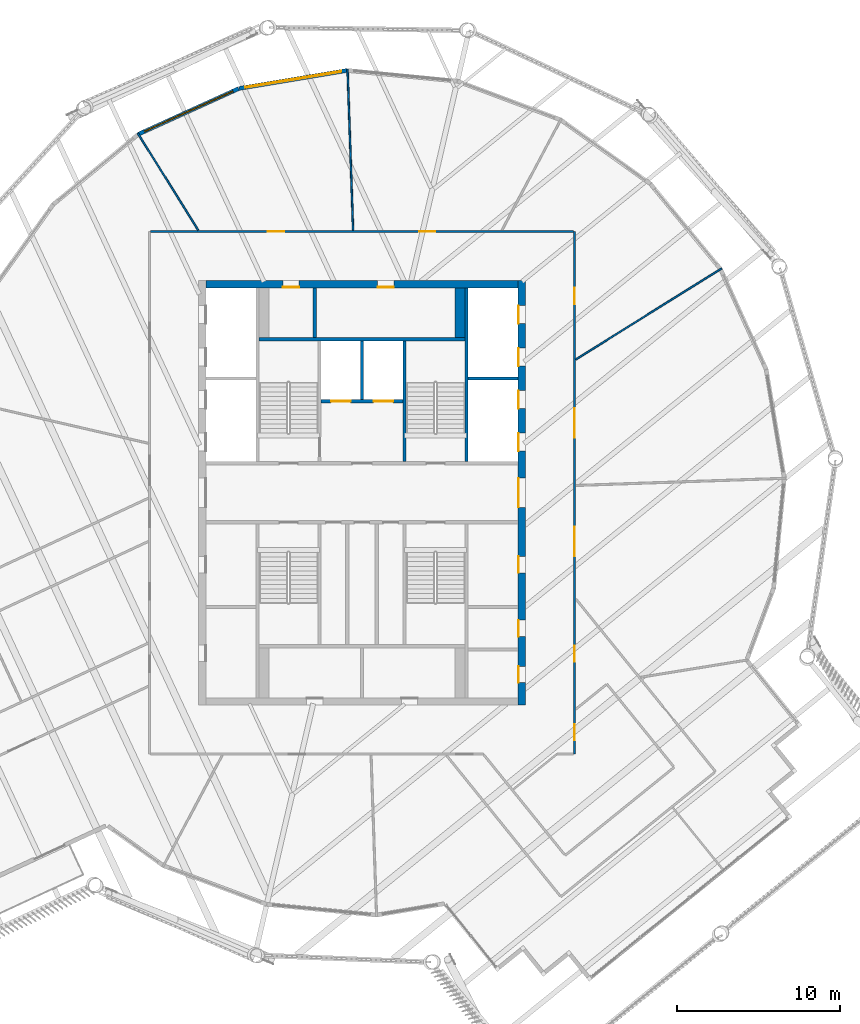
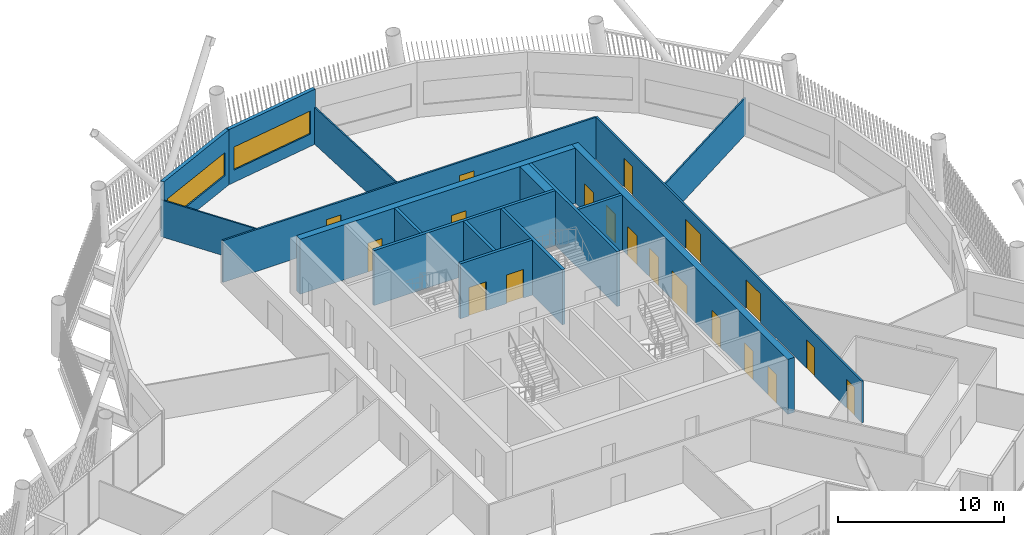
# One storey, part 20 of 36: 19 doors, 17 walls, 2 windows, 21 openings.
"""IFC4 building model written with IfcOpenShell, lengths in metres."""

from ifc_helpers import new_model, si_unit, direction, frame, frame_2d, origin, place, context, subcontext, project, spatial, rectangle, extrude, material, layer, layer_set, type_object, element, fill, save


model = new_model("IFC4")

# Units and contexts
model_context = context("Model", 3, precision=1e-05, world=origin(), true_north=direction((0.0, 1.0)))
body_context = subcontext(model_context, "Body", "Model", "MODEL_VIEW")
ifc_project = project(units=[si_unit("LENGTHUNIT", "METRE"), si_unit("AREAUNIT", "SQUARE_METRE"), si_unit("VOLUMEUNIT", "CUBIC_METRE"), si_unit("PLANEANGLEUNIT", "RADIAN"), si_unit("MASSUNIT", "GRAM", prefix="KILO")], contexts=[model_context])

# Site, building, storey
site_placement = place(None, origin())
site = spatial("IfcSite", under=ifc_project, at=site_placement, CompositionType="ELEMENT")
building_placement = place(site_placement, origin())
building = spatial("IfcBuilding", under=site, at=building_placement, Name="Tarsis Ring Headquarters", CompositionType="ELEMENT")
storey_placement = place(building_placement, frame((0.0, 0.0, 386.0)))
storey = spatial("IfcBuildingStorey", under=building, at=storey_placement, Name="L91", CompositionType="ELEMENT", Elevation=386.0)

# Wall
ifc_material_1 = material(Name="Blockwork", Category="masonry")
ifc_layer_1 = layer(ifc_material_1, 0.199951171875)
ifc_layer_set_1 = layer_set([ifc_layer_1], Name="Core blockwork wall 200")
wall_type_1 = type_object("IfcWallType", Name="Core blockwork wall 200", PredefinedType="PARTITIONING", material=ifc_layer_set_1)
wall_1_placement = place(storey_placement, frame((-2.89990234375, 9.5, 0.0), z_axis=(0.0, 0.0, 1.0), x_axis=(0.0, 1.0, 0.0)))
element("IfcWall", 1, at=wall_1_placement, inside=storey, type_object=wall_type_1, Name="Core partition ND1", PredefinedType="PARTITIONING", context=body_context, shape_type="SweptSolid", body=[
    extrude(rectangle(XDim=3.050048828125, YDim=0.199951171875, at=frame_2d((1.52490234375, 0.0))), origin(), (0.0, 0.0, 1.0), 4.0400390625),
])

# Wall, openings, doors
ifc_material_2 = material(Name="Concrete C50/60", Category="concrete")
ifc_layer_2 = layer(ifc_material_2, 0.449951171875)
ifc_layer_set_2 = layer_set([ifc_layer_2], Name="Core wall 450 C50/60")
wall_type_2 = type_object("IfcWallType", Name="Core wall 450 C50/60", PredefinedType="SHEAR", material=ifc_layer_set_2)
wall_2_placement = place(storey_placement, frame((9.77490234375, -13.0, 0.0), z_axis=(0.0, 0.0, 1.0), x_axis=(0.0, 1.0, 0.0)))
wall_2 = element("IfcWall", 2, at=wall_2_placement, inside=storey, type_object=wall_type_2, Name="Core wall OE", PredefinedType="SHEAR", context=body_context, shape_type="SweptSolid", body=[
    extrude(rectangle(XDim=26.0, YDim=0.449951171875, at=frame_2d((13.0, 0.0))), origin(), (0.0, 0.0, 1.0), 4.0400390625),
])
opening_1_placement = place(wall_2_placement, frame((1.375, 0.0, 0.0)))
opening_1 = element("IfcOpeningElement", 3, at=opening_1_placement, cuts=wall_2, Name="Opening L91-C08", PredefinedType="OPENING", context=body_context, shape_type="SweptSolid", body=[
    extrude(rectangle(XDim=1.0, YDim=2.10009765625, at=frame_2d((0.5, 1.050048828125))), frame((0.0, 0.23486328125, 0.0), z_axis=(0.0, -1.0, 0.0), x_axis=(1.0, 0.0, 0.0)), (0.0, 0.0, 1.0), 0.469970703125),
])
opening_2_placement = place(wall_2_placement, frame((4.199951171875, 0.0, 0.0)))
opening_2 = element("IfcOpeningElement", 4, at=opening_2_placement, cuts=wall_2, Name="Opening L91-C09", PredefinedType="OPENING", context=body_context, shape_type="SweptSolid", body=[
    extrude(rectangle(XDim=1.0, YDim=2.10009765625, at=frame_2d((0.5, 1.050048828125))), frame((0.0, 0.23486328125, 0.0), z_axis=(0.0, -1.0, 0.0), x_axis=(1.0, 0.0, 0.0)), (0.0, 0.0, 1.0), 0.469970703125),
])
opening_3_placement = place(wall_2_placement, frame((8.10009765625, 0.0, 0.0)))
opening_3 = element("IfcOpeningElement", 5, at=opening_3_placement, cuts=wall_2, Name="Opening L91-C10", PredefinedType="OPENING", context=body_context, shape_type="SweptSolid", body=[
    extrude(rectangle(XDim=1.0, YDim=2.10009765625, at=frame_2d((0.5, 1.050048828125))), frame((0.0, 0.23486328125, 0.0), z_axis=(0.0, -1.0, 0.0), x_axis=(1.0, 0.0, 0.0)), (0.0, 0.0, 1.0), 0.469970703125),
])
opening_4_placement = place(wall_2_placement, frame((12.10009765625, 0.0, 0.0)))
opening_4 = element("IfcOpeningElement", 6, at=opening_4_placement, cuts=wall_2, Name="Opening L91-C11", PredefinedType="OPENING", context=body_context, shape_type="SweptSolid", body=[
    extrude(rectangle(XDim=1.800048828125, YDim=2.10009765625, at=frame_2d((0.89990234375, 1.050048828125))), frame((0.0, 0.23486328125, 0.0), z_axis=(0.0, -1.0, 0.0), x_axis=(1.0, 0.0, 0.0)), (0.0, 0.0, 1.0), 0.469970703125),
])
opening_5_placement = place(wall_2_placement, frame((15.550048828125, 0.0, 0.0)))
opening_5 = element("IfcOpeningElement", 7, at=opening_5_placement, cuts=wall_2, Name="Opening LD-HR5", PredefinedType="OPENING", context=body_context, shape_type="SweptSolid", body=[
    extrude(rectangle(XDim=1.10009765625, YDim=2.10009765625, at=frame_2d((0.550048828125, 1.050048828125))), frame((0.0, 0.23486328125, 0.0), z_axis=(0.0, -1.0, 0.0), x_axis=(1.0, 0.0, 0.0)), (0.0, 0.0, 1.0), 0.469970703125),
])
opening_6_placement = place(wall_2_placement, frame((18.14990234375, 0.0, 0.0)))
opening_6 = element("IfcOpeningElement", 8, at=opening_6_placement, cuts=wall_2, Name="Opening LD-HR6", PredefinedType="OPENING", context=body_context, shape_type="SweptSolid", body=[
    extrude(rectangle(XDim=1.10009765625, YDim=2.10009765625, at=frame_2d((0.550048828125, 1.050048828125))), frame((0.0, 0.23486328125, 0.0), z_axis=(0.0, -1.0, 0.0), x_axis=(1.0, 0.0, 0.0)), (0.0, 0.0, 1.0), 0.469970703125),
])
opening_7_placement = place(wall_2_placement, frame((20.75, 0.0, 0.0)))
opening_7 = element("IfcOpeningElement", 9, at=opening_7_placement, cuts=wall_2, Name="Opening LD-HR7", PredefinedType="OPENING", context=body_context, shape_type="SweptSolid", body=[
    extrude(rectangle(XDim=1.10009765625, YDim=2.10009765625, at=frame_2d((0.550048828125, 1.050048828125))), frame((0.0, 0.23486328125, 0.0), z_axis=(0.0, -1.0, 0.0), x_axis=(1.0, 0.0, 0.0)), (0.0, 0.0, 1.0), 0.469970703125),
])
opening_8_placement = place(wall_2_placement, frame((23.35009765625, 0.0, 0.0)))
opening_8 = element("IfcOpeningElement", 10, at=opening_8_placement, cuts=wall_2, Name="Opening LD-HR8", PredefinedType="OPENING", context=body_context, shape_type="SweptSolid", body=[
    extrude(rectangle(XDim=1.10009765625, YDim=2.10009765625, at=frame_2d((0.550048828125, 1.050048828125))), frame((0.0, 0.23486328125, 0.0), z_axis=(0.0, -1.0, 0.0), x_axis=(1.0, 0.0, 0.0)), (0.0, 0.0, 1.0), 0.469970703125),
])
ifc_material_3 = material(Name="Steel S355", Category="steel")
door_type_1 = type_object("IfcDoorType", Name="Core entry door 1800x2100", OperationType="DOUBLE_DOOR_SINGLE_SWING", PredefinedType="DOOR", material=ifc_material_3)
door_1_placement = place(opening_4_placement, origin())
door_1 = element("IfcDoor", 11, at=door_1_placement, inside=storey, type_object=door_type_1, Name="Core entry door L91", OperationType="DOUBLE_DOOR_SINGLE_SWING", OverallHeight=2.10009765625, OverallWidth=1.800048828125, PredefinedType="DOOR", context=body_context, shape_type="SweptSolid", body=[
    extrude(rectangle(XDim=1.800048828125, YDim=2.10009765625, at=frame_2d((0.89990234375, 1.050048828125))), frame((0.0, 0.22509765625, 0.0), z_axis=(0.0, -1.0, 0.0), x_axis=(1.0, 0.0, 0.0)), (0.0, 0.0, 1.0), 0.050048828125),
])
fill(opening_4, door_1)
door_type_2 = type_object("IfcDoorType", Name="Core room door 1000x2100", OperationType="SINGLE_SWING_LEFT", PredefinedType="DOOR", material=ifc_material_3)
door_2_placement = place(opening_1_placement, origin())
door_2 = element("IfcDoor", 12, at=door_2_placement, inside=storey, type_object=door_type_2, Name="Core room door L91", OperationType="SINGLE_SWING_LEFT", OverallHeight=2.10009765625, OverallWidth=1.0, PredefinedType="DOOR", context=body_context, shape_type="SweptSolid", body=[
    extrude(rectangle(XDim=1.0, YDim=2.10009765625, at=frame_2d((0.5, 1.050048828125))), frame((0.0, 0.22509765625, 0.0), z_axis=(0.0, -1.0, 0.0), x_axis=(1.0, 0.0, 0.0)), (0.0, 0.0, 1.0), 0.050048828125),
])
fill(opening_1, door_2)
door_3_placement = place(opening_2_placement, origin())
door_3 = element("IfcDoor", 13, at=door_3_placement, inside=storey, type_object=door_type_2, Name="Core room door L91", OperationType="SINGLE_SWING_LEFT", OverallHeight=2.10009765625, OverallWidth=1.0, PredefinedType="DOOR", context=body_context, shape_type="SweptSolid", body=[
    extrude(rectangle(XDim=1.0, YDim=2.10009765625, at=frame_2d((0.5, 1.050048828125))), frame((0.0, 0.22509765625, 0.0), z_axis=(0.0, -1.0, 0.0), x_axis=(1.0, 0.0, 0.0)), (0.0, 0.0, 1.0), 0.050048828125),
])
fill(opening_2, door_3)
door_4_placement = place(opening_3_placement, origin())
door_4 = element("IfcDoor", 14, at=door_4_placement, inside=storey, type_object=door_type_2, Name="Core room door L91", OperationType="SINGLE_SWING_LEFT", OverallHeight=2.10009765625, OverallWidth=1.0, PredefinedType="DOOR", context=body_context, shape_type="SweptSolid", body=[
    extrude(rectangle(XDim=1.0, YDim=2.10009765625, at=frame_2d((0.5, 1.050048828125))), frame((0.0, 0.22509765625, 0.0), z_axis=(0.0, -1.0, 0.0), x_axis=(1.0, 0.0, 0.0)), (0.0, 0.0, 1.0), 0.050048828125),
])
fill(opening_3, door_4)
door_type_3 = type_object("IfcDoorType", Name="Landing door 1100x2100", OperationType="SLIDING_TO_LEFT", PredefinedType="DOOR", material=ifc_material_3)
door_5_placement = place(opening_5_placement, origin())
door_5 = element("IfcDoor", 15, at=door_5_placement, inside=storey, type_object=door_type_3, Name="Landing door HR5 L91", OperationType="SLIDING_TO_LEFT", OverallHeight=2.10009765625, OverallWidth=1.10009765625, PredefinedType="DOOR", context=body_context, shape_type="SweptSolid", body=[
    extrude(rectangle(XDim=1.10009765625, YDim=2.10009765625, at=frame_2d((0.550048828125, 1.050048828125))), frame((0.0, 0.22509765625, 0.0), z_axis=(0.0, -1.0, 0.0), x_axis=(1.0, 0.0, 0.0)), (0.0, 0.0, 1.0), 0.050048828125),
])
fill(opening_5, door_5)
door_6_placement = place(opening_6_placement, origin())
door_6 = element("IfcDoor", 16, at=door_6_placement, inside=storey, type_object=door_type_3, Name="Landing door HR6 L91", OperationType="SLIDING_TO_LEFT", OverallHeight=2.10009765625, OverallWidth=1.10009765625, PredefinedType="DOOR", context=body_context, shape_type="SweptSolid", body=[
    extrude(rectangle(XDim=1.10009765625, YDim=2.10009765625, at=frame_2d((0.550048828125, 1.050048828125))), frame((0.0, 0.22509765625, 0.0), z_axis=(0.0, -1.0, 0.0), x_axis=(1.0, 0.0, 0.0)), (0.0, 0.0, 1.0), 0.050048828125),
])
fill(opening_6, door_6)
door_7_placement = place(opening_7_placement, origin())
door_7 = element("IfcDoor", 17, at=door_7_placement, inside=storey, type_object=door_type_3, Name="Landing door HR7 L91", OperationType="SLIDING_TO_LEFT", OverallHeight=2.10009765625, OverallWidth=1.10009765625, PredefinedType="DOOR", context=body_context, shape_type="SweptSolid", body=[
    extrude(rectangle(XDim=1.10009765625, YDim=2.10009765625, at=frame_2d((0.550048828125, 1.050048828125))), frame((0.0, 0.22509765625, 0.0), z_axis=(0.0, -1.0, 0.0), x_axis=(1.0, 0.0, 0.0)), (0.0, 0.0, 1.0), 0.050048828125),
])
fill(opening_7, door_7)
door_8_placement = place(opening_8_placement, origin())
door_8 = element("IfcDoor", 18, at=door_8_placement, inside=storey, type_object=door_type_3, Name="Landing door HR8 L91", OperationType="SLIDING_TO_LEFT", OverallHeight=2.10009765625, OverallWidth=1.10009765625, PredefinedType="DOOR", context=body_context, shape_type="SweptSolid", body=[
    extrude(rectangle(XDim=1.10009765625, YDim=2.10009765625, at=frame_2d((0.550048828125, 1.050048828125))), frame((0.0, 0.22509765625, 0.0), z_axis=(0.0, -1.0, 0.0), x_axis=(1.0, 0.0, 0.0)), (0.0, 0.0, 1.0), 0.050048828125),
])
fill(opening_8, door_8)

wall_3_placement = place(storey_placement, frame((-9.550048828125, 12.77490234375, 0.0), z_axis=(0.0, 0.0, 1.0), x_axis=(1.0, 0.0, 0.0)))
wall_3 = element("IfcWall", 19, at=wall_3_placement, inside=storey, type_object=wall_type_2, Name="Core wall ON", PredefinedType="SHEAR", context=body_context, shape_type="SweptSolid", body=[
    extrude(rectangle(XDim=19.10009765625, YDim=0.449951171875, at=frame_2d((9.550048828125, 0.0))), origin(), (0.0, 0.0, 1.0), 4.0400390625),
])
opening_9_placement = place(wall_3_placement, frame((4.699951171875, 0.0, 0.0)))
opening_9 = element("IfcOpeningElement", 20, at=opening_9_placement, cuts=wall_3, Name="Opening L91-C16", PredefinedType="OPENING", context=body_context, shape_type="SweptSolid", body=[
    extrude(rectangle(XDim=1.0, YDim=2.10009765625, at=frame_2d((0.5, 1.050048828125))), frame((0.0, 0.23486328125, 0.0), z_axis=(0.0, -1.0, 0.0), x_axis=(1.0, 0.0, 0.0)), (0.0, 0.0, 1.0), 0.469970703125),
])
opening_10_placement = place(wall_3_placement, frame((10.5, 0.0, 0.0)))
opening_10 = element("IfcOpeningElement", 21, at=opening_10_placement, cuts=wall_3, Name="Opening L91-C17", PredefinedType="OPENING", context=body_context, shape_type="SweptSolid", body=[
    extrude(rectangle(XDim=1.0, YDim=2.10009765625, at=frame_2d((0.5, 1.050048828125))), frame((0.0, 0.23486328125, 0.0), z_axis=(0.0, -1.0, 0.0), x_axis=(1.0, 0.0, 0.0)), (0.0, 0.0, 1.0), 0.469970703125),
])
door_9_placement = place(opening_9_placement, origin())
door_9 = element("IfcDoor", 22, at=door_9_placement, inside=storey, type_object=door_type_2, Name="Core room door L91", OperationType="SINGLE_SWING_LEFT", OverallHeight=2.10009765625, OverallWidth=1.0, PredefinedType="DOOR", context=body_context, shape_type="SweptSolid", body=[
    extrude(rectangle(XDim=1.0, YDim=2.10009765625, at=frame_2d((0.5, 1.050048828125))), frame((0.0, -0.1748046875, 0.0), z_axis=(0.0, -1.0, 0.0), x_axis=(1.0, 0.0, 0.0)), (0.0, 0.0, 1.0), 0.050048828125),
])
fill(opening_9, door_9)
door_10_placement = place(opening_10_placement, origin())
door_10 = element("IfcDoor", 23, at=door_10_placement, inside=storey, type_object=door_type_2, Name="Core room door L91", OperationType="SINGLE_SWING_LEFT", OverallHeight=2.10009765625, OverallWidth=1.0, PredefinedType="DOOR", context=body_context, shape_type="SweptSolid", body=[
    extrude(rectangle(XDim=1.0, YDim=2.10009765625, at=frame_2d((0.5, 1.050048828125))), frame((0.0, -0.1748046875, 0.0), z_axis=(0.0, -1.0, 0.0), x_axis=(1.0, 0.0, 0.0)), (0.0, 0.0, 1.0), 0.050048828125),
])
fill(opening_10, door_10)

# Walls
ifc_material_4 = material(Name="Gypsum board on steel studs", Category="steel")
ifc_layer_3 = layer(ifc_material_4, 0.10009765625)
ifc_layer_set_3 = layer_set([ifc_layer_3], Name="FL partition 100 unrated")
wall_type_3 = type_object("IfcWallType", Name="FL partition 100 unrated", PredefinedType="PARTITIONING", material=ifc_layer_set_3)
wall_4_placement = place(storey_placement, frame((13.076416015625, 8.158203125, 0.0), z_axis=(0.0, 0.0, 1.0), x_axis=(0.848413348108, 0.529334290172, 0.0)))
element("IfcWall", 24, at=wall_4_placement, inside=storey, type_object=wall_type_3, Name="Partition PW3", PredefinedType="PARTITIONING", context=body_context, shape_type="SweptSolid", body=[
    extrude(rectangle(XDim=10.53515625, YDim=0.10009765625, at=frame_2d((5.267578125, 0.0))), origin(), (0.0, 0.0, 1.0), 2.699951171875),
])
wall_5_placement = place(storey_placement, frame((-0.887451171875, 25.9326171875, 0.0), z_axis=(0.0, 0.0, 1.0), x_axis=(0.034215170413, -0.999414489646, 0.0)))
element("IfcWall", 25, at=wall_5_placement, inside=storey, type_object=wall_type_3, Name="Partition PW3", PredefinedType="PARTITIONING", context=body_context, shape_type="SweptSolid", body=[
    extrude(rectangle(XDim=9.868408203125, YDim=0.10009765625, at=frame_2d((4.93408203125, 0.0))), origin(), (0.0, 0.0, 1.0), 2.699951171875),
])
wall_6_placement = place(storey_placement, frame((-13.73486328125, 22.0146484375, 0.0), z_axis=(0.0, 0.0, 1.0), x_axis=(0.529324660835, -0.84841935588, 0.0)))
element("IfcWall", 26, at=wall_6_placement, inside=storey, type_object=wall_type_3, Name="Partition PW3", PredefinedType="PARTITIONING", context=body_context, shape_type="SweptSolid", body=[
    extrude(rectangle(XDim=6.999267578125, YDim=0.10009765625, at=frame_2d((3.49951171875, 0.0))), origin(), (0.0, 0.0, 1.0), 2.699951171875),
])

# Wall, openings, doors
ifc_layer_4 = layer(ifc_material_4, 0.125)
ifc_layer_set_4 = layer_set([ifc_layer_4], Name="FL partition 125 EI 60 H3070")
wall_type_4 = type_object("IfcWallType", Name="FL partition 125 EI 60 H3070", PredefinedType="PARTITIONING", material=ifc_layer_set_4)
wall_7_placement = place(storey_placement, frame((13.0, -15.9990234375, 0.0), z_axis=(0.0, 0.0, 1.0), x_axis=(0.0, 1.0, 0.0)))
wall_7 = element("IfcWall", 27, at=wall_7_placement, inside=storey, type_object=wall_type_4, Name="Partition PW1H307", PredefinedType="PARTITIONING", context=body_context, shape_type="SweptSolid", body=[
    extrude(rectangle(XDim=31.9990234375, YDim=0.125, at=frame_2d((15.99951171875, 0.0))), origin(), (0.0, 0.0, 1.0), 3.070068359375),
])
opening_11_placement = place(wall_7_placement, frame((27.55419921875, 0.0, 0.0)))
opening_11 = element("IfcOpeningElement", 28, at=opening_11_placement, cuts=wall_7, Name="Opening D91.06", PredefinedType="OPENING", context=body_context, shape_type="SweptSolid", body=[
    extrude(rectangle(XDim=1.0, YDim=2.10009765625, at=frame_2d((0.5, 1.050048828125))), frame((0.0, 0.072509765625, 0.0), z_axis=(0.0, -1.0, 0.0), x_axis=(1.0, 0.0, 0.0)), (0.0, 0.0, 1.0), 0.14501953125),
])
opening_12_placement = place(wall_7_placement, frame((19.376708984375, 0.0, 0.0)))
opening_12 = element("IfcOpeningElement", 29, at=opening_12_placement, cuts=wall_7, Name="Opening D91.07", PredefinedType="OPENING", context=body_context, shape_type="SweptSolid", body=[
    extrude(rectangle(XDim=1.800048828125, YDim=2.10009765625, at=frame_2d((0.89990234375, 1.050048828125))), frame((0.0, 0.072509765625, 0.0), z_axis=(0.0, -1.0, 0.0), x_axis=(1.0, 0.0, 0.0)), (0.0, 0.0, 1.0), 0.14501953125),
])
opening_13_placement = place(wall_7_placement, frame((12.1259765625, 0.0, 0.0)))
opening_13 = element("IfcOpeningElement", 30, at=opening_13_placement, cuts=wall_7, Name="Opening D91.08", PredefinedType="OPENING", context=body_context, shape_type="SweptSolid", body=[
    extrude(rectangle(XDim=1.800048828125, YDim=2.10009765625, at=frame_2d((0.89990234375, 1.050048828125))), frame((0.0, 0.072509765625, 0.0), z_axis=(0.0, -1.0, 0.0), x_axis=(1.0, 0.0, 0.0)), (0.0, 0.0, 1.0), 0.14501953125),
])
opening_14_placement = place(wall_7_placement, frame((0.841796875, 0.0, 0.0)))
opening_14 = element("IfcOpeningElement", 31, at=opening_14_placement, cuts=wall_7, Name="Opening D91.14", PredefinedType="OPENING", context=body_context, shape_type="SweptSolid", body=[
    extrude(rectangle(XDim=1.0, YDim=2.10009765625, at=frame_2d((0.5, 1.050048828125))), frame((0.0, 0.072509765625, 0.0), z_axis=(0.0, -1.0, 0.0), x_axis=(1.0, 0.0, 0.0)), (0.0, 0.0, 1.0), 0.14501953125),
])
opening_15_placement = place(wall_7_placement, frame((5.645751953125, 0.0, 0.0)))
opening_15 = element("IfcOpeningElement", 32, at=opening_15_placement, cuts=wall_7, Name="Opening D91.16", PredefinedType="OPENING", context=body_context, shape_type="SweptSolid", body=[
    extrude(rectangle(XDim=1.0, YDim=2.10009765625, at=frame_2d((0.5, 1.050048828125))), frame((0.0, 0.072509765625, 0.0), z_axis=(0.0, -1.0, 0.0), x_axis=(1.0, 0.0, 0.0)), (0.0, 0.0, 1.0), 0.14501953125),
])
ifc_material_5 = material(Name="Fire-rated timber door leaf in steel frame", Category="steel")
door_type_4 = type_object("IfcDoorType", Name="FL door FD60-1000", OperationType="NOTDEFINED", PredefinedType="DOOR", material=ifc_material_5)
door_11_placement = place(opening_11_placement, origin())
door_11 = element("IfcDoor", 33, at=door_11_placement, inside=storey, type_object=door_type_4, Name="Door D91.06", OperationType="SINGLE_SWING_LEFT", OverallHeight=2.10009765625, OverallWidth=1.0, PredefinedType="DOOR", context=body_context, shape_type="SweptSolid", body=[
    extrude(rectangle(XDim=1.0, YDim=2.10009765625, at=frame_2d((0.5, 1.050048828125))), frame((0.0, 0.02490234375, 0.0), z_axis=(0.0, -1.0, 0.0), x_axis=(1.0, 0.0, 0.0)), (0.0, 0.0, 1.0), 0.050048828125),
])
fill(opening_11, door_11)
door_12_placement = place(opening_14_placement, origin())
door_12 = element("IfcDoor", 34, at=door_12_placement, inside=storey, type_object=door_type_4, Name="Door D91.14", OperationType="SINGLE_SWING_LEFT", OverallHeight=2.10009765625, OverallWidth=1.0, PredefinedType="DOOR", context=body_context, shape_type="SweptSolid", body=[
    extrude(rectangle(XDim=1.0, YDim=2.10009765625, at=frame_2d((0.5, 1.050048828125))), frame((0.0, 0.02490234375, 0.0), z_axis=(0.0, -1.0, 0.0), x_axis=(1.0, 0.0, 0.0)), (0.0, 0.0, 1.0), 0.050048828125),
])
fill(opening_14, door_12)
door_13_placement = place(opening_15_placement, origin())
door_13 = element("IfcDoor", 35, at=door_13_placement, inside=storey, type_object=door_type_4, Name="Door D91.16", OperationType="SINGLE_SWING_LEFT", OverallHeight=2.10009765625, OverallWidth=1.0, PredefinedType="DOOR", context=body_context, shape_type="SweptSolid", body=[
    extrude(rectangle(XDim=1.0, YDim=2.10009765625, at=frame_2d((0.5, 1.050048828125))), frame((0.0, 0.02490234375, 0.0), z_axis=(0.0, -1.0, 0.0), x_axis=(1.0, 0.0, 0.0)), (0.0, 0.0, 1.0), 0.050048828125),
])
fill(opening_15, door_13)
door_type_5 = type_object("IfcDoorType", Name="FL door FD60-1800", OperationType="DOUBLE_DOOR_SINGLE_SWING", PredefinedType="DOOR", material=ifc_material_5)
door_14_placement = place(opening_12_placement, origin())
door_14 = element("IfcDoor", 36, at=door_14_placement, inside=storey, type_object=door_type_5, Name="Door D91.07", OperationType="DOUBLE_DOOR_SINGLE_SWING", OverallHeight=2.10009765625, OverallWidth=1.800048828125, PredefinedType="DOOR", context=body_context, shape_type="SweptSolid", body=[
    extrude(rectangle(XDim=1.800048828125, YDim=2.10009765625, at=frame_2d((0.89990234375, 1.050048828125))), frame((0.0, 0.02490234375, 0.0), z_axis=(0.0, -1.0, 0.0), x_axis=(1.0, 0.0, 0.0)), (0.0, 0.0, 1.0), 0.050048828125),
])
fill(opening_12, door_14)
door_15_placement = place(opening_13_placement, origin())
door_15 = element("IfcDoor", 37, at=door_15_placement, inside=storey, type_object=door_type_5, Name="Door D91.08", OperationType="DOUBLE_DOOR_SINGLE_SWING", OverallHeight=2.10009765625, OverallWidth=1.800048828125, PredefinedType="DOOR", context=body_context, shape_type="SweptSolid", body=[
    extrude(rectangle(XDim=1.800048828125, YDim=2.10009765625, at=frame_2d((0.89990234375, 1.050048828125))), frame((0.0, 0.02490234375, 0.0), z_axis=(0.0, -1.0, 0.0), x_axis=(1.0, 0.0, 0.0)), (0.0, 0.0, 1.0), 0.050048828125),
])
fill(opening_13, door_15)

wall_8_placement = place(storey_placement, frame((-12.93994140625, 16.0, 0.0), z_axis=(0.0, 0.0, 1.0), x_axis=(1.0, 0.0, 0.0)))
wall_8 = element("IfcWall", 38, at=wall_8_placement, inside=storey, type_object=wall_type_4, Name="Partition PW1H307", PredefinedType="PARTITIONING", context=body_context, shape_type="SweptSolid", body=[
    extrude(rectangle(XDim=25.8798828125, YDim=0.125, at=frame_2d((12.93994140625, 0.0))), origin(), (0.0, 0.0, 1.0), 3.070068359375),
])
opening_16_placement = place(wall_8_placement, frame((7.175048828125, 0.0, 0.0)))
opening_16 = element("IfcOpeningElement", 39, at=opening_16_placement, cuts=wall_8, Name="Opening D91.04", PredefinedType="OPENING", context=body_context, shape_type="SweptSolid", body=[
    extrude(rectangle(XDim=1.0, YDim=2.10009765625, at=frame_2d((0.5, 1.050048828125))), frame((0.0, 0.072509765625, 0.0), z_axis=(0.0, -1.0, 0.0), x_axis=(1.0, 0.0, 0.0)), (0.0, 0.0, 1.0), 0.14501953125),
])
opening_17_placement = place(wall_8_placement, frame((16.427001953125, 0.0, 0.0)))
opening_17 = element("IfcOpeningElement", 40, at=opening_17_placement, cuts=wall_8, Name="Opening D91.05", PredefinedType="OPENING", context=body_context, shape_type="SweptSolid", body=[
    extrude(rectangle(XDim=1.0, YDim=2.10009765625, at=frame_2d((0.5, 1.050048828125))), frame((0.0, 0.072509765625, 0.0), z_axis=(0.0, -1.0, 0.0), x_axis=(1.0, 0.0, 0.0)), (0.0, 0.0, 1.0), 0.14501953125),
])
door_16_placement = place(opening_16_placement, origin())
door_16 = element("IfcDoor", 41, at=door_16_placement, inside=storey, type_object=door_type_4, Name="Door D91.04", OperationType="SINGLE_SWING_LEFT", OverallHeight=2.10009765625, OverallWidth=1.0, PredefinedType="DOOR", context=body_context, shape_type="SweptSolid", body=[
    extrude(rectangle(XDim=1.0, YDim=2.10009765625, at=frame_2d((0.5, 1.050048828125))), frame((0.0, 0.02490234375, 0.0), z_axis=(0.0, -1.0, 0.0), x_axis=(1.0, 0.0, 0.0)), (0.0, 0.0, 1.0), 0.050048828125),
])
fill(opening_16, door_16)
door_17_placement = place(opening_17_placement, origin())
door_17 = element("IfcDoor", 42, at=door_17_placement, inside=storey, type_object=door_type_4, Name="Door D91.05", OperationType="SINGLE_SWING_RIGHT", OverallHeight=2.10009765625, OverallWidth=1.0, PredefinedType="DOOR", context=body_context, shape_type="SweptSolid", body=[
    extrude(rectangle(XDim=1.0, YDim=2.10009765625, at=frame_2d((0.5, 1.050048828125))), frame((0.0, 0.02490234375, 0.0), z_axis=(0.0, -1.0, 0.0), x_axis=(1.0, 0.0, 0.0)), (0.0, 0.0, 1.0), 0.050048828125),
])
fill(opening_17, door_17)

# Wall, opening, window
ifc_material_6 = material(Name="Terracotta clad insulated panel wall", Category="masonry")
ifc_layer_5 = layer(ifc_material_6, 0.25)
ifc_layer_set_5 = layer_set([ifc_layer_5], Name="Facade wall terracotta panel 250")
wall_type_5 = type_object("IfcWallType", Name="Facade wall terracotta panel 250", PredefinedType="STANDARD", material=ifc_layer_set_5)
wall_9_placement = place(storey_placement, frame((-0.901123046875, 25.85595703125, 0.0), z_axis=(0.0, 0.0, 1.0), x_axis=(-0.98640079473, -0.164357756606, 0.0)))
wall_9 = element("IfcWall", 43, at=wall_9_placement, inside=storey, type_object=wall_type_5, Name="External wall L91-25", PredefinedType="STANDARD", context=body_context, shape_type="SweptSolid", body=[
    extrude(rectangle(XDim=6.721435546875, YDim=0.25, at=frame_2d((3.36083984375, 0.0))), origin(), (0.0, 0.0, 1.0), 4.0400390625),
])
opening_18_placement = place(wall_9_placement, frame((0.3857421875, 0.0, 0.89990234375)))
opening_18 = element("IfcOpeningElement", 44, at=opening_18_placement, cuts=wall_9, Name="Opening WN07", PredefinedType="OPENING", context=body_context, shape_type="SweptSolid", body=[
    extrude(rectangle(XDim=5.949951171875, YDim=1.699951171875, at=frame_2d((2.97509765625, 0.85009765625))), frame((0.0, 0.135009765625, 0.0), z_axis=(0.0, -1.0, 0.0), x_axis=(1.0, 0.0, 0.0)), (0.0, 0.0, 1.0), 0.27001953125),
])
ifc_material_7 = material(Name="Aluminium framed double glazing", Category="aluminium")
window_type = type_object("IfcWindowType", Name="Facade window 5950 x 1700", PartitioningType="SINGLE_PANEL", PredefinedType="WINDOW", material=ifc_material_7)
window_1_placement = place(opening_18_placement, origin())
window_1 = element("IfcWindow", 45, at=window_1_placement, inside=storey, type_object=window_type, Name="Window L91-25.1", OverallHeight=1.699951171875, OverallWidth=5.949951171875, PartitioningType="SINGLE_PANEL", PredefinedType="WINDOW", context=body_context, shape_type="SweptSolid", body=[
    extrude(rectangle(XDim=5.949951171875, YDim=1.699951171875, at=frame_2d((2.97509765625, 0.85009765625))), frame((0.0, 0.030029296875, 0.0), z_axis=(0.0, -1.0, 0.0), x_axis=(1.0, 0.0, 0.0)), (0.0, 0.0, 1.0), 0.06005859375),
])
fill(opening_18, window_1)

wall_10_placement = place(storey_placement, frame((-7.5625, 24.74169921875, 0.0), z_axis=(0.0, 0.0, 1.0), x_axis=(-0.910261960918, -0.414032803659, 0.0)))
wall_10 = element("IfcWall", 46, at=wall_10_placement, inside=storey, type_object=wall_type_5, Name="External wall L91-26", PredefinedType="STANDARD", context=body_context, shape_type="SweptSolid", body=[
    extrude(rectangle(XDim=6.7216796875, YDim=0.25, at=frame_2d((3.36083984375, 0.0))), origin(), (0.0, 0.0, 1.0), 4.0400390625),
])
opening_19_placement = place(wall_10_placement, frame((0.3857421875, 0.0, 0.89990234375)))
opening_19 = element("IfcOpeningElement", 47, at=opening_19_placement, cuts=wall_10, Name="Opening WN07", PredefinedType="OPENING", context=body_context, shape_type="SweptSolid", body=[
    extrude(rectangle(XDim=5.949951171875, YDim=1.699951171875, at=frame_2d((2.97509765625, 0.85009765625))), frame((0.0, 0.135009765625, 0.0), z_axis=(0.0, -1.0, 0.0), x_axis=(1.0, 0.0, 0.0)), (0.0, 0.0, 1.0), 0.27001953125),
])
window_2_placement = place(opening_19_placement, origin())
window_2 = element("IfcWindow", 48, at=window_2_placement, inside=storey, type_object=window_type, Name="Window L91-26.1", OverallHeight=1.699951171875, OverallWidth=5.949951171875, PartitioningType="SINGLE_PANEL", PredefinedType="WINDOW", context=body_context, shape_type="SweptSolid", body=[
    extrude(rectangle(XDim=5.949951171875, YDim=1.699951171875, at=frame_2d((2.97509765625, 0.85009765625))), frame((0.0, 0.030029296875, 0.0), z_axis=(0.0, -1.0, 0.0), x_axis=(1.0, 0.0, 0.0)), (0.0, 0.0, 1.0), 0.06005859375),
])
fill(opening_19, window_2)

# Walls
ifc_material_8 = material(Name="Concrete C32/40", Category="concrete")
ifc_layer_6 = layer(ifc_material_8, 0.60009765625)
ifc_layer_set_6 = layer_set([ifc_layer_6], Name="Shaft end wall 600 C32/40")
wall_type_6 = type_object("IfcWallType", Name="Shaft end wall 600 C32/40", PredefinedType="SOLIDWALL", material=ifc_layer_set_6)
wall_11_placement = place(storey_placement, frame((6.0, 9.5, 0.0), z_axis=(0.0, 0.0, 1.0), x_axis=(0.0, 1.0, 0.0)))
element("IfcWall", 49, at=wall_11_placement, inside=storey, type_object=wall_type_6, Name="Core shaft wall NNE2", PredefinedType="SOLIDWALL", context=body_context, shape_type="SweptSolid", body=[
    extrude(rectangle(XDim=3.050048828125, YDim=0.60009765625, at=frame_2d((1.52490234375, 0.0))), origin(), (0.0, 0.0, 1.0), 4.0400390625),
])
ifc_layer_7 = layer(ifc_material_8, 0.199951171875)
ifc_layer_set_7 = layer_set([ifc_layer_7], Name="Shaft wall 200 C32/40")
wall_type_7 = type_object("IfcWallType", Name="Shaft wall 200 C32/40", PredefinedType="SOLIDWALL", material=ifc_layer_set_7)
wall_12_placement = place(storey_placement, frame((6.39990234375, 1.89990234375, 0.0), z_axis=(0.0, 0.0, 1.0), x_axis=(0.0, 1.0, 0.0)))
element("IfcWall", 50, at=wall_12_placement, inside=storey, type_object=wall_type_7, Name="Core shaft wall EB2", PredefinedType="SOLIDWALL", context=body_context, shape_type="SweptSolid", body=[
    extrude(rectangle(XDim=10.650146484375, YDim=0.199951171875, at=frame_2d((5.3251953125, 0.0))), origin(), (0.0, 0.0, 1.0), 4.0400390625),
])
wall_13_placement = place(storey_placement, frame((-6.300048828125, 9.39990234375, 0.0), z_axis=(0.0, 0.0, 1.0), x_axis=(1.0, 0.0, 0.0)))
element("IfcWall", 51, at=wall_13_placement, inside=storey, type_object=wall_type_7, Name="Core shaft wall NB", PredefinedType="SOLIDWALL", context=body_context, shape_type="SweptSolid", body=[
    extrude(rectangle(XDim=12.60009765625, YDim=0.199951171875, at=frame_2d((6.300048828125, 0.0))), origin(), (0.0, 0.0, 1.0), 4.0400390625),
])
wall_14_placement = place(storey_placement, frame((2.60009765625, 1.89990234375, 0.0), z_axis=(0.0, 0.0, 1.0), x_axis=(0.0, 1.0, 0.0)))
element("IfcWall", 52, at=wall_14_placement, inside=storey, type_object=wall_type_7, Name="Core shaft wall SW2", PredefinedType="SOLIDWALL", context=body_context, shape_type="SweptSolid", body=[
    extrude(rectangle(XDim=7.400146484375, YDim=0.199951171875, at=frame_2d((3.7001953125, 0.0))), origin(), (0.0, 0.0, 1.0), 4.0400390625),
])

# Wall, openings, doors
wall_15_placement = place(storey_placement, frame((-2.5, 5.60009765625, 0.0), z_axis=(0.0, 0.0, 1.0), x_axis=(1.0, 0.0, 0.0)))
wall_15 = element("IfcWall", 53, at=wall_15_placement, inside=storey, type_object=wall_type_7, Name="Core shaft wall FFN", PredefinedType="SOLIDWALL", context=body_context, shape_type="SweptSolid", body=[
    extrude(rectangle(XDim=5.0, YDim=0.199951171875, at=frame_2d((2.5, 0.0))), origin(), (0.0, 0.0, 1.0), 4.0400390625),
])
opening_20_placement = place(wall_15_placement, frame((0.60009765625, 0.0, 0.0)))
opening_20 = element("IfcOpeningElement", 54, at=opening_20_placement, cuts=wall_15, Name="Opening LDF-1", PredefinedType="OPENING", context=body_context, shape_type="SweptSolid", body=[
    extrude(rectangle(XDim=1.199951171875, YDim=2.10009765625, at=frame_2d((0.60009765625, 1.050048828125))), frame((0.0, 0.10986328125, 0.0), z_axis=(0.0, -1.0, 0.0), x_axis=(1.0, 0.0, 0.0)), (0.0, 0.0, 1.0), 0.219970703125),
])
opening_21_placement = place(wall_15_placement, frame((3.199951171875, 0.0, 0.0)))
opening_21 = element("IfcOpeningElement", 55, at=opening_21_placement, cuts=wall_15, Name="Opening LDF-2", PredefinedType="OPENING", context=body_context, shape_type="SweptSolid", body=[
    extrude(rectangle(XDim=1.199951171875, YDim=2.10009765625, at=frame_2d((0.60009765625, 1.050048828125))), frame((0.0, 0.10986328125, 0.0), z_axis=(0.0, -1.0, 0.0), x_axis=(1.0, 0.0, 0.0)), (0.0, 0.0, 1.0), 0.219970703125),
])
door_type_6 = type_object("IfcDoorType", Name="Firefighting landing door 1200x2100", OperationType="SLIDING_TO_LEFT", PredefinedType="DOOR", material=ifc_material_3)
door_18_placement = place(opening_20_placement, origin())
door_18 = element("IfcDoor", 56, at=door_18_placement, inside=storey, type_object=door_type_6, Name="Landing door FF1 L91", OperationType="SLIDING_TO_LEFT", OverallHeight=2.10009765625, OverallWidth=1.199951171875, PredefinedType="DOOR", context=body_context, shape_type="SweptSolid", body=[
    extrude(rectangle(XDim=1.199951171875, YDim=2.10009765625, at=frame_2d((0.60009765625, 1.050048828125))), frame((0.0, 0.02490234375, 0.0), z_axis=(0.0, -1.0, 0.0), x_axis=(1.0, 0.0, 0.0)), (0.0, 0.0, 1.0), 0.050048828125),
])
fill(opening_20, door_18)
door_19_placement = place(opening_21_placement, origin())
door_19 = element("IfcDoor", 57, at=door_19_placement, inside=storey, type_object=door_type_6, Name="Landing door FF2 L91", OperationType="SLIDING_TO_LEFT", OverallHeight=2.10009765625, OverallWidth=1.199951171875, PredefinedType="DOOR", context=body_context, shape_type="SweptSolid", body=[
    extrude(rectangle(XDim=1.199951171875, YDim=2.10009765625, at=frame_2d((0.60009765625, 1.050048828125))), frame((0.0, 0.02490234375, 0.0), z_axis=(0.0, -1.0, 0.0), x_axis=(1.0, 0.0, 0.0)), (0.0, 0.0, 1.0), 0.050048828125),
])
fill(opening_21, door_19)

# Walls
wall_16_placement = place(storey_placement, frame((0.0, 5.699951171875, 0.0), z_axis=(0.0, 0.0, 1.0), x_axis=(0.0, 1.0, 0.0)))
element("IfcWall", 58, at=wall_16_placement, inside=storey, type_object=wall_type_7, Name="Core shaft wall FFD", PredefinedType="SOLIDWALL", context=body_context, shape_type="SweptSolid", body=[
    extrude(rectangle(XDim=3.60009765625, YDim=0.199951171875, at=frame_2d((1.800048828125, 0.0))), origin(), (0.0, 0.0, 1.0), 4.0400390625),
])
wall_17_placement = place(storey_placement, frame((6.5, 7.0, 0.0), z_axis=(0.0, 0.0, 1.0), x_axis=(1.0, 0.0, 0.0)))
element("IfcWall", 59, at=wall_17_placement, inside=storey, type_object=wall_type_7, Name="Core shaft wall ED6", PredefinedType="SOLIDWALL", context=body_context, shape_type="SweptSolid", body=[
    extrude(rectangle(XDim=3.050048828125, YDim=0.199951171875, at=frame_2d((1.52490234375, 0.0))), origin(), (0.0, 0.0, 1.0), 4.0400390625),
])

save(model, "model.ifc")
